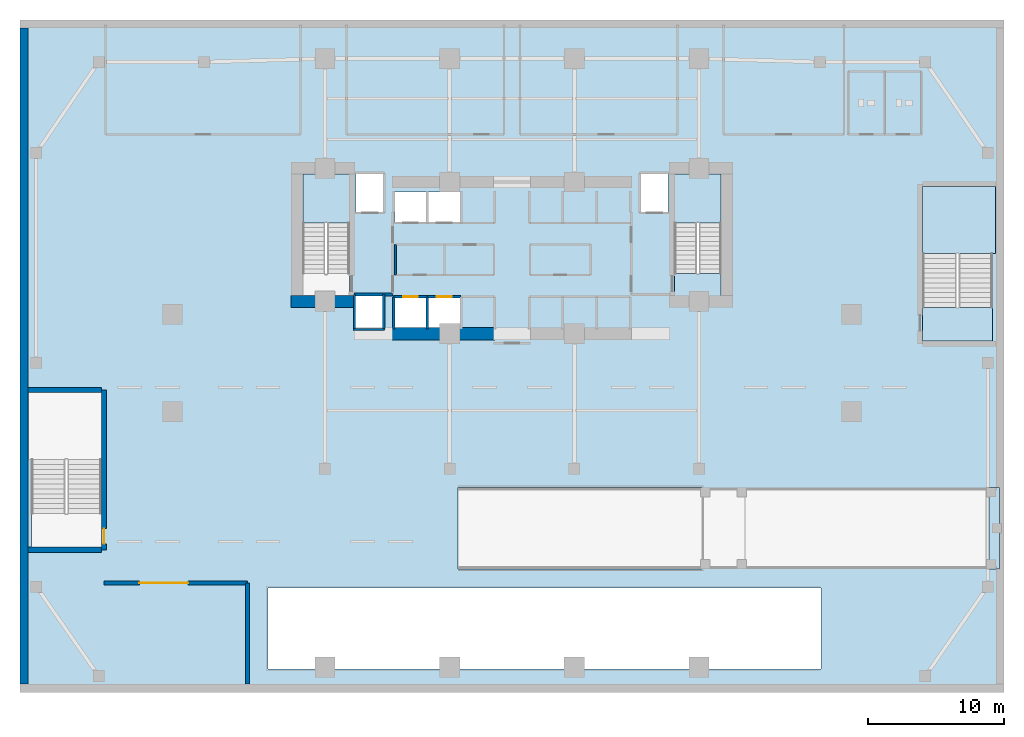
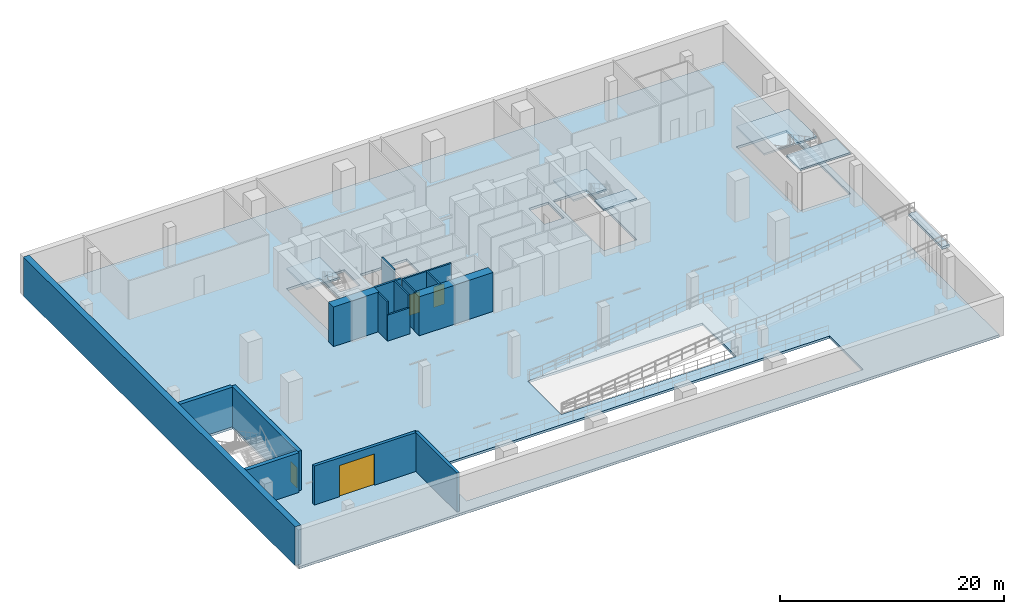
# One storey, part 2 of 13: 17 walls, 7 slabs, 4 doors, 4 openings, 3 elements without a shape of their own.
"""IFC4 building model written with IfcOpenShell, lengths in metres."""

from ifc_helpers import new_model, si_unit, direction, frame, frame_2d, origin, place, context, subcontext, project, spatial, polyline, rectangle, outline, extrude, material, layer, layer_set, type_object, element, fill, aggregate, save


model = new_model("IFC4")

# Units and contexts
model_context = context("Model", 3, precision=1e-05, world=origin(), true_north=direction((0.0, 1.0)))
body_context = subcontext(model_context, "Body", "Model", "MODEL_VIEW")
ifc_project = project(units=[si_unit("LENGTHUNIT", "METRE"), si_unit("AREAUNIT", "SQUARE_METRE"), si_unit("VOLUMEUNIT", "CUBIC_METRE"), si_unit("PLANEANGLEUNIT", "RADIAN"), si_unit("MASSUNIT", "GRAM", prefix="KILO")], contexts=[model_context])

# Site, building, storey
site_placement = place(None, origin())
site = spatial("IfcSite", under=ifc_project, at=site_placement, CompositionType="ELEMENT")
building_placement = place(site_placement, origin())
building = spatial("IfcBuilding", under=site, at=building_placement, Name="Zuhayl Quay Hotel", CompositionType="ELEMENT")
storey_placement = place(building_placement, frame((0.0, 0.0, -4.5)))
storey = spatial("IfcBuildingStorey", under=building, at=storey_placement, Name="B1", CompositionType="ELEMENT", Elevation=-4.5)

# Slabs
ifc_material_1 = material(Name="Concrete C45/55", Category="concrete")
ifc_layer_1 = layer(ifc_material_1, 0.260009765625, Name="Concrete C45/55", Category="concrete")
ifc_layer_set_1 = layer_set([ifc_layer_1], Name="Concrete C45/55")
slab_type_1 = type_object("IfcSlabType", Name="SL_FLOOR_260", PredefinedType="FLOOR", material=ifc_layer_set_1)
slab_1_placement = place(storey_placement, frame((0.0, 0.0, -0.260009765625)))
element("IfcSlab", 1, at=slab_1_placement, inside=storey, type_object=slab_type_1, Name="B1 Structural Floor Slab", PredefinedType="FLOOR", context=body_context, shape_type="SweptSolid", body=[
    extrude(outline(polyline([(-36.0, -24.0), (36.0, -24.0), (36.0, 25.0), (-36.0, 25.0), (-36.0, -24.0)]), holes=[polyline([(-12.0, 4.949951171875), (-12.0, 13.949951171875), (-15.429931640625, 13.949951171875), (-15.429931640625, 4.949951171875), (-12.0, 4.949951171875)]), polyline([(15.429931640625, 4.949951171875), (15.429931640625, 13.949951171875), (12.0, 13.949951171875), (12.0, 4.949951171875), (15.429931640625, 4.949951171875)]), polyline([(-30.300048828125, -13.60009765625), (-30.300048828125, -2.199951171875), (-35.449951171875, -2.199951171875), (-35.449951171875, -13.60009765625), (-30.300048828125, -13.60009765625)]), polyline([(35.449951171875, 1.60009765625), (35.449951171875, 13.0), (30.300048828125, 13.0), (30.300048828125, 1.60009765625), (35.449951171875, 1.60009765625)]), polyline([(-11.5, 11.14990234375), (-9.5, 11.14990234375), (-9.5, 13.949951171875), (-11.5, 13.949951171875), (-11.5, 11.14990234375)]), polyline([(9.5, 11.14990234375), (11.5, 11.14990234375), (11.5, 13.949951171875), (9.5, 13.949951171875), (9.5, 11.14990234375)]), polyline([(-8.64990234375, 2.60009765625), (-6.35009765625, 2.60009765625), (-6.35009765625, 4.800048828125), (-8.64990234375, 4.800048828125), (-8.64990234375, 2.60009765625)]), polyline([(-6.14990234375, 2.60009765625), (-3.85009765625, 2.60009765625), (-3.85009765625, 4.800048828125), (-6.14990234375, 4.800048828125), (-6.14990234375, 2.60009765625)]), polyline([(-8.64990234375, 10.39990234375), (-6.35009765625, 10.39990234375), (-6.35009765625, 12.60009765625), (-8.64990234375, 12.60009765625), (-8.64990234375, 10.39990234375)]), polyline([(-6.14990234375, 10.39990234375), (-3.85009765625, 10.39990234375), (-3.85009765625, 12.60009765625), (-6.14990234375, 12.60009765625), (-6.14990234375, 10.39990234375)]), polyline([(-11.550048828125, 2.550048828125), (-9.550048828125, 2.550048828125), (-9.550048828125, 4.949951171875), (-11.550048828125, 4.949951171875), (-11.550048828125, 2.550048828125)]), polyline([(-18.0, -22.60009765625), (22.800048828125, -22.60009765625), (22.800048828125, -16.60009765625), (-18.0, -16.60009765625), (-18.0, -22.60009765625)]), polyline([(-4.0, -15.199951171875), (14.0, -15.199951171875), (14.0, -9.199951171875), (-4.0, -9.199951171875), (-4.0, -15.199951171875)])]), origin(), (0.0, 0.0, 1.0), 0.260009765625),
])
ifc_layer_2 = layer(ifc_material_1, 0.280029296875, Name="Concrete C45/55", Category="concrete")
ifc_layer_set_2 = layer_set([ifc_layer_2], Name="Concrete C45/55")
slab_type_2 = type_object("IfcSlabType", Name="SL_RAMP_LANDING_280", PredefinedType="LANDING", material=ifc_layer_set_2)
slab_2_placement = place(storey_placement, frame((0.0, 0.0, 4.219970703125)))
element("IfcSlab", 2, at=slab_2_placement, inside=storey, type_object=slab_type_2, Name="Car Park Vehicle Ramp VR1-B1 Grade Arrival Landing", PredefinedType="LANDING", context=body_context, shape_type="SweptSolid", body=[
    extrude(outline(polyline([(35.199951171875, -15.199951171875), (35.949951171875, -15.199951171875), (35.949951171875, -9.199951171875), (35.199951171875, -9.199951171875), (35.199951171875, -15.199951171875)])), origin(), (0.0, 0.0, 1.0), 0.280029296875),
])

# Stair, slab
stair_type_1 = type_object("IfcStairType", Name="ST_DOGLEG_TOWER", PredefinedType="HALF_TURN_STAIR", material=ifc_material_1)
stair_1_placement = place(storey_placement, origin())
stair_1 = element("IfcStair", 3, at=stair_1_placement, inside=storey, type_object=stair_type_1, Name="B1 Smokeproof Exit Stair ST1", PredefinedType="HALF_TURN_STAIR")
ifc_layer_3 = layer(ifc_material_1, 0.199951171875, Name="Concrete C45/55", Category="concrete")
ifc_layer_set_3 = layer_set([ifc_layer_3], Name="Concrete C45/55")
slab_type_3 = type_object("IfcSlabType", Name="SL_STAIR_LANDING_200", PredefinedType="LANDING", material=ifc_layer_set_3)
slab_3_placement = place(storey_placement, frame((0.0, 0.0, 2.050048828125)))
slab_3 = element("IfcSlab", 4, at=slab_3_placement, type_object=slab_type_3, Name="ST1 landing 1", PredefinedType="LANDING", context=body_context, shape_type="SweptSolid", body=[
    extrude(outline(polyline([(-12.0, 10.330078125), (-12.0, 13.949951171875), (-15.429931640625, 13.949951171875), (-15.429931640625, 10.330078125), (-12.0, 10.330078125)])), origin(), (0.0, 0.0, 1.0), 0.199951171875),
])
aggregate(stair_1, [slab_3])

# Stair, slabs
stair_2_placement = place(storey_placement, origin())
stair_2 = element("IfcStair", 5, at=stair_2_placement, inside=storey, type_object=stair_type_1, Name="B1 Smokeproof Exit Stair ST2", PredefinedType="HALF_TURN_STAIR")
slab_4_placement = place(storey_placement, frame((0.0, 0.0, 2.050048828125)))
slab_4 = element("IfcSlab", 6, at=slab_4_placement, type_object=slab_type_3, Name="ST2 landing 1", PredefinedType="LANDING", context=body_context, shape_type="SweptSolid", body=[
    extrude(outline(polyline([(15.429931640625, 10.330078125), (15.429931640625, 13.949951171875), (12.0, 13.949951171875), (12.0, 10.330078125), (15.429931640625, 10.330078125)])), origin(), (0.0, 0.0, 1.0), 0.199951171875),
])
slab_5_placement = place(storey_placement, frame((0.0, 0.0, 4.300048828125)))
slab_5 = element("IfcSlab", 7, at=slab_5_placement, type_object=slab_type_3, Name="ST2 landing 2", PredefinedType="LANDING", context=body_context, shape_type="SweptSolid", body=[
    extrude(outline(polyline([(15.429931640625, 4.949951171875), (15.429931640625, 6.590087890625), (12.0, 6.590087890625), (12.0, 4.949951171875), (15.429931640625, 4.949951171875)])), origin(), (0.0, 0.0, 1.0), 0.199951171875),
])
aggregate(stair_2, [slab_4, slab_5])

stair_type_2 = type_object("IfcStairType", Name="ST_DOGLEG_PODIUM", PredefinedType="HALF_TURN_STAIR", material=ifc_material_1)
stair_3_placement = place(storey_placement, origin())
stair_3 = element("IfcStair", 8, at=stair_3_placement, inside=storey, type_object=stair_type_2, Name="B1 Smokeproof Exit Stair ST4", PredefinedType="HALF_TURN_STAIR")
slab_6_placement = place(storey_placement, frame((0.0, 0.0, 2.050048828125)))
slab_6 = element("IfcSlab", 9, at=slab_6_placement, type_object=slab_type_3, Name="ST4 landing 1", PredefinedType="LANDING", context=body_context, shape_type="SweptSolid", body=[
    extrude(outline(polyline([(35.68994140625, 8.06005859375), (35.68994140625, 13.0), (30.300048828125, 13.0), (30.300048828125, 8.06005859375), (35.68994140625, 8.06005859375)])), origin(), (0.0, 0.0, 1.0), 0.199951171875),
])
slab_7_placement = place(storey_placement, frame((0.0, 0.0, 4.300048828125)))
slab_7 = element("IfcSlab", 10, at=slab_7_placement, type_object=slab_type_3, Name="ST4 landing 2", PredefinedType="LANDING", context=body_context, shape_type="SweptSolid", body=[
    extrude(outline(polyline([(35.449951171875, 1.60009765625), (35.449951171875, 4.10009765625), (30.300048828125, 4.10009765625), (30.300048828125, 1.60009765625), (35.449951171875, 1.60009765625)])), origin(), (0.0, 0.0, 1.0), 0.199951171875),
])
aggregate(stair_3, [slab_6, slab_7])

# Walls
ifc_material_2 = material(Name="Concrete C70/85", Category="concrete")
ifc_layer_4 = layer(ifc_material_2, 0.89990234375, Name="Concrete C70/85", Category="concrete")
ifc_layer_set_4 = layer_set([ifc_layer_4], Name="Concrete C70/85")
wall_type_1 = type_object("IfcWallType", Name="WL_CORE_900", PredefinedType="SHEAR", material=ifc_layer_set_4)
wall_1_placement = place(storey_placement, frame((-16.31005859375, 4.52001953125, 0.0), z_axis=(0.0, 0.0, 1.0), x_axis=(1.0, 0.0, 0.0)))
element("IfcWall", 11, at=wall_1_placement, inside=storey, type_object=wall_type_1, Name="B1 Core Shear Wall CW_SW", PredefinedType="SHEAR", context=body_context, shape_type="SweptSolid", body=[
    extrude(rectangle(XDim=4.7099609375, YDim=0.89990234375, at=frame_2d((2.35498046875, 0.0))), origin(), (0.0, 0.0, 1.0), 4.31005859375),
])
wall_2_placement = place(storey_placement, frame((-8.85009765625, 2.14990234375, 0.0), z_axis=(0.0, 0.0, 1.0), x_axis=(1.0, 0.0, 0.0)))
element("IfcWall", 12, at=wall_2_placement, inside=storey, type_object=wall_type_1, Name="B1 Core Shear Wall CW_SC_W", PredefinedType="SHEAR", context=body_context, shape_type="SweptSolid", body=[
    extrude(rectangle(XDim=7.60009765625, YDim=0.89990234375, at=frame_2d((3.800048828125, 0.0))), origin(), (0.0, 0.0, 1.0), 4.239990234375),
])

# Wall, opening, door
ifc_material_3 = material(Name="Precast concrete C45/55", Category="concrete")
ifc_layer_5 = layer(ifc_material_3, 0.300048828125, Name="Precast concrete C45/55", Category="concrete")
ifc_layer_set_5 = layer_set([ifc_layer_5], Name="Precast concrete C45/55")
wall_type_2 = type_object("IfcWallType", Name="WL_EXT_300", PredefinedType="STANDARD", material=ifc_layer_set_5)
wall_3_placement = place(storey_placement, frame((-30.10009765625, -16.25, 0.0), z_axis=(0.0, 0.0, 1.0), x_axis=(1.0, 0.0, 0.0)))
wall_3 = element("IfcWall", 13, at=wall_3_placement, inside=storey, type_object=wall_type_2, Name="B1 Car-Park Security Shutter Wall", PredefinedType="STANDARD", context=body_context, shape_type="SweptSolid", body=[
    extrude(rectangle(XDim=10.60009765625, YDim=0.300048828125, at=frame_2d((5.300048828125, 0.0))), origin(), (0.0, 0.0, 1.0), 4.239990234375),
])
opening_1_placement = place(wall_3_placement, frame((2.60009765625, 0.0, 0.0)))
opening_1 = element("IfcOpeningElement", 14, at=opening_1_placement, cuts=wall_3, Name="Opening VG02", PredefinedType="OPENING", context=body_context, shape_type="SweptSolid", body=[
    extrude(rectangle(XDim=3.60009765625, YDim=3.39990234375, at=frame_2d((1.800048828125, 1.699951171875))), frame((0.0, 0.159912109375, 0.0), z_axis=(0.0, -1.0, 0.0), x_axis=(1.0, 0.0, 0.0)), (0.0, 0.0, 1.0), 0.320068359375),
])
ifc_material_4 = material(Name="Steel ASTM A992 Grade 50", Category="steel")
door_type_1 = type_object("IfcDoorType", Name="DR_SRV_GATE_VG02", OperationType="ROLLINGUP", PredefinedType="GATE", material=ifc_material_4)
door_1_placement = place(opening_1_placement, origin())
door_1 = element("IfcDoor", 15, at=door_1_placement, inside=storey, type_object=door_type_1, Name="B1 Service Bay Roller Shutter Gate VG02", OperationType="ROLLINGUP", OverallHeight=3.39990234375, OverallWidth=3.60009765625, PredefinedType="GATE", context=body_context, shape_type="SweptSolid", body=[
    extrude(rectangle(XDim=3.60009765625, YDim=3.39990234375, at=frame_2d((1.800048828125, 1.699951171875))), frame((0.0, 0.02490234375, 0.0), z_axis=(0.0, -1.0, 0.0), x_axis=(1.0, 0.0, 0.0)), (0.0, 0.0, 1.0), 0.050048828125),
])
fill(opening_1, door_1)

# Walls
wall_4_placement = place(storey_placement, frame((-19.5, -23.699951171875, 0.0), z_axis=(0.0, 0.0, 1.0), x_axis=(0.0, 1.0, 0.0)))
element("IfcWall", 16, at=wall_4_placement, inside=storey, type_object=wall_type_2, Name="B1 Service Bay East Enclosure Wall", PredefinedType="STANDARD", context=body_context, shape_type="SweptSolid", body=[
    extrude(rectangle(XDim=7.449951171875, YDim=0.300048828125, at=frame_2d((3.72509765625, 0.0))), origin(), (0.0, 0.0, 1.0), 4.239990234375),
])
ifc_material_5 = material(Name="Acoustic Gypsum Partition STC-58")
ifc_layer_6 = layer(ifc_material_5, 0.14990234375, Name="Acoustic Gypsum Partition STC-58")
ifc_layer_set_6 = layer_set([ifc_layer_6], Name="Acoustic Gypsum Partition STC-58")
wall_type_3 = type_object("IfcWallType", Name="WL_PART_150", PredefinedType="PARTITIONING", material=ifc_layer_set_6)
wall_5_placement = place(storey_placement, frame((-8.610107421875, 6.47998046875, 0.0), z_axis=(0.0, 0.0, 1.0), x_axis=(0.0, 1.0, 0.0)))
element("IfcWall", 17, at=wall_5_placement, inside=storey, type_object=wall_type_3, Name="B1 Partition IW_B1_CORE_SW_W", PredefinedType="PARTITIONING", context=body_context, shape_type="SweptSolid", body=[
    extrude(rectangle(XDim=2.239990234375, YDim=0.14990234375, at=frame_2d((1.1201171875, 0.0))), origin(), (0.0, 0.0, 1.0), 4.239990234375),
])

# Wall, opening, door
ifc_material_6 = material(Name="Gypsum Fireboard Assembly EI-90")
ifc_layer_7 = layer(ifc_material_6, 0.1650390625, Name="Gypsum Fireboard Assembly EI-90")
ifc_layer_set_7 = layer_set([ifc_layer_7], Name="Gypsum Fireboard Assembly EI-90")
wall_type_4 = type_object("IfcWallType", Name="WL_PART_SHAFT_160", PredefinedType="PARTITIONING", material=ifc_layer_set_7)
wall_6_placement = place(storey_placement, frame((-8.72998046875, 4.8798828125, 0.0), z_axis=(0.0, 0.0, 1.0), x_axis=(1.0, 0.0, 0.0)))
wall_6 = element("IfcWall", 18, at=wall_6_placement, inside=storey, type_object=wall_type_4, Name="B1 Partition IW_B1_SH_LP1_F", PredefinedType="PARTITIONING", context=body_context, shape_type="SweptSolid", body=[
    extrude(rectangle(XDim=2.47998046875, YDim=0.1650390625, at=frame_2d((1.239990234375, 0.0))), origin(), (0.0, 0.0, 1.0), 4.239990234375),
])
opening_2_placement = place(wall_6_placement, frame((0.68994140625, 0.0, 0.0)))
opening_2 = element("IfcOpeningElement", 19, at=opening_2_placement, cuts=wall_6, Name="Opening LD1", PredefinedType="OPENING", context=body_context, shape_type="SweptSolid", body=[
    extrude(rectangle(XDim=1.10009765625, YDim=2.25, at=frame_2d((0.550048828125, 1.125))), frame((0.0, 0.092529296875, 0.0), z_axis=(0.0, -1.0, 0.0), x_axis=(1.0, 0.0, 0.0)), (0.0, 0.0, 1.0), 0.18505859375),
])
ifc_material_7 = material(Name="Brushed Stainless Steel", Category="steel")
door_type_2 = type_object("IfcDoorType", Name="DR_LIFT_PASS_1100", OperationType="SLIDING_TO_LEFT", PredefinedType="DOOR", material=ifc_material_7)
door_2_placement = place(opening_2_placement, origin())
door_2 = element("IfcDoor", 20, at=door_2_placement, inside=storey, type_object=door_type_2, Name="B1 Lift LP1 Sliding Landing Door", OperationType="SLIDING_TO_LEFT", OverallHeight=2.25, OverallWidth=1.10009765625, PredefinedType="DOOR", context=body_context, shape_type="SweptSolid", body=[
    extrude(rectangle(XDim=1.10009765625, YDim=2.25, at=frame_2d((0.550048828125, 1.125))), frame((0.0, 0.02490234375, 0.0), z_axis=(0.0, -1.0, 0.0), x_axis=(1.0, 0.0, 0.0)), (0.0, 0.0, 1.0), 0.050048828125),
])
fill(opening_2, door_2)

wall_7_placement = place(storey_placement, frame((-6.25, 4.8798828125, 0.0), z_axis=(0.0, 0.0, 1.0), x_axis=(1.0, 0.0, 0.0)))
wall_7 = element("IfcWall", 21, at=wall_7_placement, inside=storey, type_object=wall_type_4, Name="B1 Partition IW_B1_SH_LP2_F", PredefinedType="PARTITIONING", context=body_context, shape_type="SweptSolid", body=[
    extrude(rectangle(XDim=2.5, YDim=0.1650390625, at=frame_2d((1.25, 0.0))), origin(), (0.0, 0.0, 1.0), 4.239990234375),
])
opening_3_placement = place(wall_7_placement, frame((0.699951171875, 0.0, 0.0)))
opening_3 = element("IfcOpeningElement", 22, at=opening_3_placement, cuts=wall_7, Name="Opening LD1", PredefinedType="OPENING", context=body_context, shape_type="SweptSolid", body=[
    extrude(rectangle(XDim=1.10009765625, YDim=2.25, at=frame_2d((0.550048828125, 1.125))), frame((0.0, 0.092529296875, 0.0), z_axis=(0.0, -1.0, 0.0), x_axis=(1.0, 0.0, 0.0)), (0.0, 0.0, 1.0), 0.18505859375),
])
door_3_placement = place(opening_3_placement, origin())
door_3 = element("IfcDoor", 23, at=door_3_placement, inside=storey, type_object=door_type_2, Name="B1 Lift LP2 Sliding Landing Door", OperationType="SLIDING_TO_LEFT", OverallHeight=2.25, OverallWidth=1.10009765625, PredefinedType="DOOR", context=body_context, shape_type="SweptSolid", body=[
    extrude(rectangle(XDim=1.10009765625, YDim=2.25, at=frame_2d((0.550048828125, 1.125))), frame((0.0, 0.02490234375, 0.0), z_axis=(0.0, -1.0, 0.0), x_axis=(1.0, 0.0, 0.0)), (0.0, 0.0, 1.0), 0.050048828125),
])
fill(opening_3, door_3)

# Walls
for number, where, z_axis, x_axis, name in (
    (24, (-8.72998046875, 2.52001953125, 0.0), (0.0, 0.0, 1.0), (0.0, 1.0, 0.0), "B1 Partition IW_B1_SH_LP1_W"),
    (25, (-6.25, 2.52001953125, 0.0), (0.0, 0.0, 1.0), (0.0, 1.0, 0.0), "B1 Partition IW_B1_SH_LP1_E"),
):
    element("IfcWall", number, at=place(storey_placement, frame(where, z_axis=z_axis, x_axis=x_axis)), inside=storey, type_object=wall_type_4, Name=name, PredefinedType="PARTITIONING", context=body_context, shape_type="SweptSolid", body=[
        extrude(rectangle(XDim=2.35986328125, YDim=0.1650390625, at=frame_2d((1.179931640625, 0.0))), origin(), (0.0, 0.0, 1.0), 4.239990234375),
    ])
wall_8_placement = place(storey_placement, frame((-11.6298828125, 2.469970703125, 0.0), z_axis=(0.0, 0.0, 1.0), x_axis=(0.0, 1.0, 0.0)))
element("IfcWall", 26, at=wall_8_placement, inside=storey, type_object=wall_type_4, Name="B1 Partition IW_B1_RISER_W", PredefinedType="PARTITIONING", context=body_context, shape_type="SweptSolid", body=[
    extrude(rectangle(XDim=2.580078125, YDim=0.1650390625, at=frame_2d((1.2900390625, 0.0))), origin(), (0.0, 0.0, 1.0), 4.239990234375),
])
wall_9_placement = place(storey_placement, frame((-11.7099609375, 2.469970703125, 0.0), z_axis=(0.0, 0.0, 1.0), x_axis=(1.0, 0.0, 0.0)))
element("IfcWall", 27, at=wall_9_placement, inside=storey, type_object=wall_type_4, Name="B1 Partition IW_B1_RISER_S", PredefinedType="PARTITIONING", context=body_context, shape_type="SweptSolid", body=[
    extrude(rectangle(XDim=2.31005859375, YDim=0.1650390625, at=frame_2d((1.155029296875, 0.0))), origin(), (0.0, 0.0, 1.0), 2.840087890625),
])
ifc_layer_8 = layer(ifc_material_6, 0.179931640625, Name="Gypsum Fireboard Assembly EI-90")
ifc_layer_set_8 = layer_set([ifc_layer_8], Name="Gypsum Fireboard Assembly EI-90")
wall_type_5 = type_object("IfcWallType", Name="WL_PART_SHAFT_180", PredefinedType="PARTITIONING", material=ifc_layer_set_8)
wall_10_placement = place(storey_placement, frame((-9.469970703125, 2.449951171875, 0.0), z_axis=(0.0, 0.0, 1.0), x_axis=(0.0, 1.0, 0.0)))
element("IfcWall", 28, at=wall_10_placement, inside=storey, type_object=wall_type_5, Name="B1 Partition IW_B1_RISER_E", PredefinedType="PARTITIONING", context=body_context, shape_type="SweptSolid", body=[
    extrude(rectangle(XDim=2.60009765625, YDim=0.179931640625, at=frame_2d((1.300048828125, 0.0))), origin(), (0.0, 0.0, 1.0), 4.239990234375),
])
ifc_material_8 = material(Name="Gypsum Fireboard Assembly EI-120")
ifc_layer_9 = layer(ifc_material_8, 0.199951171875, Name="Gypsum Fireboard Assembly EI-120")
ifc_layer_set_9 = layer_set([ifc_layer_9], Name="Gypsum Fireboard Assembly EI-120")
wall_type_6 = type_object("IfcWallType", Name="WL_PART_SHAFT_200", PredefinedType="PARTITIONING", material=ifc_layer_set_9)
wall_11_placement = place(storey_placement, frame((-11.64990234375, 5.050048828125, 0.0), z_axis=(0.0, 0.0, 1.0), x_axis=(1.0, 0.0, 0.0)))
element("IfcWall", 29, at=wall_11_placement, inside=storey, type_object=wall_type_6, Name="B1 Partition IW_B1_FSAE_W_S", PredefinedType="PARTITIONING", context=body_context, shape_type="SweptSolid", body=[
    extrude(rectangle(XDim=2.849853515625, YDim=0.199951171875, at=frame_2d((1.4248046875, 0.0))), origin(), (0.0, 0.0, 1.0), 4.239990234375),
])
ifc_material_9 = material(Name="Concrete C50/60", Category="concrete")
ifc_layer_10 = layer(ifc_material_9, 0.60009765625, Name="Concrete C50/60", Category="concrete")
ifc_layer_set_10 = layer_set([ifc_layer_10], Name="Concrete C50/60")
wall_type_7 = type_object("IfcWallType", Name="WL_RET_600", PredefinedType="USERDEFINED", material=ifc_layer_set_10)
wall_12_placement = place(storey_placement, frame((-36.0, -23.699951171875, 0.0), z_axis=(0.0, 0.0, 1.0), x_axis=(0.0, 1.0, 0.0)))
element("IfcWall", 30, at=wall_12_placement, inside=storey, type_object=wall_type_7, Name="B1 Basement Retaining Wall W", ObjectType="RETAINING WALL", PredefinedType="USERDEFINED", context=body_context, shape_type="SweptSolid", body=[
    extrude(rectangle(XDim=48.39990234375, YDim=0.60009765625, at=frame_2d((24.199951171875, 0.0))), origin(), (0.0, 0.0, 1.0), 4.239990234375),
])

# Wall, opening, door
ifc_material_10 = material(Name="Concrete C60/75", Category="concrete")
ifc_layer_11 = layer(ifc_material_10, 0.39990234375, Name="Concrete C60/75", Category="concrete")
ifc_layer_set_11 = layer_set([ifc_layer_11], Name="Concrete C60/75")
wall_type_8 = type_object("IfcWallType", Name="WL_STAIR_400", PredefinedType="SHEAR", material=ifc_layer_set_11)
wall_13_placement = place(storey_placement, frame((-30.10009765625, -13.800048828125, 0.0), z_axis=(0.0, 0.0, 1.0), x_axis=(0.0, 1.0, 0.0)))
wall_13 = element("IfcWall", 31, at=wall_13_placement, inside=storey, type_object=wall_type_8, Name="B1 Podium Stair Shear Wall SW_ST3_E", PredefinedType="SHEAR", context=body_context, shape_type="SweptSolid", body=[
    extrude(rectangle(XDim=11.800048828125, YDim=0.39990234375, at=frame_2d((5.89990234375, 0.0))), origin(), (0.0, 0.0, 1.0), 4.31005859375),
])
opening_4_placement = place(wall_13_placement, frame((0.449951171875, 0.0, 0.0)))
opening_4 = element("IfcOpeningElement", 32, at=opening_4_placement, cuts=wall_13, Name="Opening D01", PredefinedType="OPENING", context=body_context, shape_type="SweptSolid", body=[
    extrude(rectangle(XDim=1.1201171875, YDim=2.219970703125, at=frame_2d((0.56005859375, 1.10986328125))), frame((0.0, 0.2099609375, 0.0), z_axis=(0.0, -1.0, 0.0), x_axis=(1.0, 0.0, 0.0)), (0.0, 0.0, 1.0), 0.419921875),
])
door_type_3 = type_object("IfcDoorType", Name="DR_STAIR_90_1100", OperationType="NOTDEFINED", PredefinedType="DOOR", material=ifc_material_4)
door_4_placement = place(opening_4_placement, origin())
door_4 = element("IfcDoor", 33, at=door_4_placement, inside=storey, type_object=door_type_3, Name="B1 Podium Exit Stair ST3 Door", OperationType="SINGLE_SWING_RIGHT", OverallHeight=2.219970703125, OverallWidth=1.1201171875, PredefinedType="DOOR", context=body_context, shape_type="SweptSolid", body=[
    extrude(rectangle(XDim=1.1201171875, YDim=2.219970703125, at=frame_2d((0.56005859375, 1.10986328125))), frame((0.0, 0.02490234375, 0.0), z_axis=(0.0, -1.0, 0.0), x_axis=(1.0, 0.0, 0.0)), (0.0, 0.0, 1.0), 0.050048828125),
])
fill(opening_4, door_4)

# Walls
for number, where, z_axis, x_axis, name in (
    (34, (-35.699951171875, -13.800048828125, 0.0), (0.0, 0.0, 1.0), (1.0, 0.0, 0.0), "B1 Podium Stair Shear Wall SW_ST3_S"),
    (35, (-35.699951171875, -2.0, 0.0), (0.0, 0.0, 1.0), (1.0, 0.0, 0.0), "B1 Podium Stair Shear Wall SW_ST3_N"),
):
    element("IfcWall", number, at=place(storey_placement, frame(where, z_axis=z_axis, x_axis=x_axis)), inside=storey, type_object=wall_type_8, Name=name, PredefinedType="SHEAR", context=body_context, shape_type="SweptSolid", body=[
        extrude(rectangle(XDim=5.39990234375, YDim=0.39990234375, at=frame_2d((2.699951171875, 0.0))), origin(), (0.0, 0.0, 1.0), 4.31005859375),
    ])

save(model, "model.ifc")
